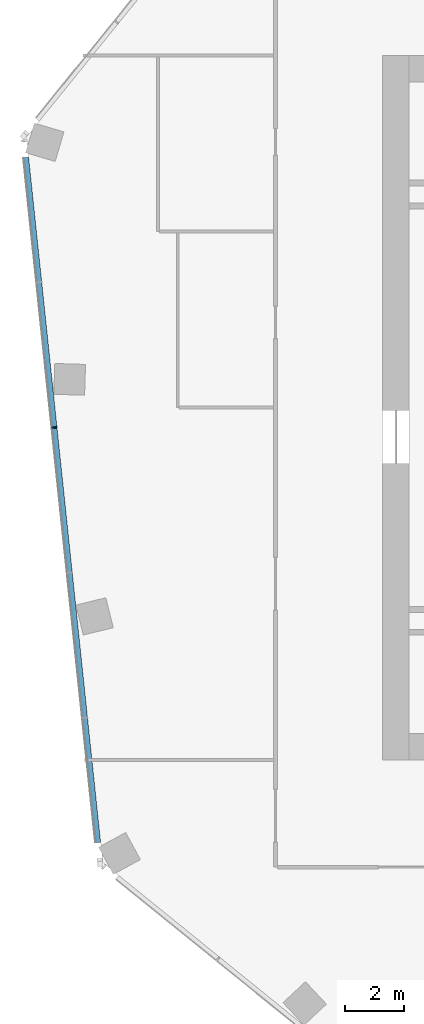
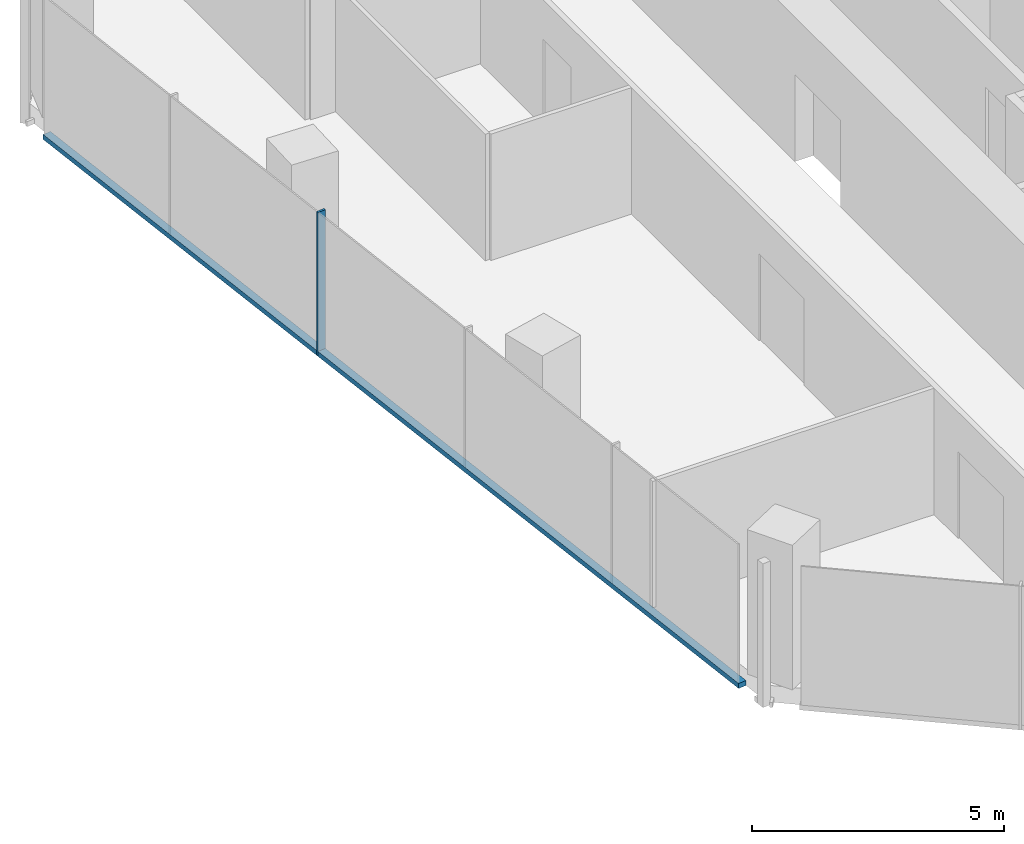
# One storey, part 8 of 26: 2 members, 1 element without a shape of its own.
"""IFC4 building model written with IfcOpenShell, lengths in metres."""

from ifc_helpers import new_model, si_unit, direction, frame, origin, origin_2d, place, context, subcontext, project, spatial, rectangle, extrude, material, material_profile, profile_set, type_object, element, aggregate, save


model = new_model("IFC4")

# Units and contexts
model_context = context("Model", 3, precision=1e-05, world=origin(), true_north=direction((0.0, 1.0)))
body_context = subcontext(model_context, "Body", "Model", "MODEL_VIEW")
ifc_project = project(units=[si_unit("LENGTHUNIT", "METRE"), si_unit("AREAUNIT", "SQUARE_METRE"), si_unit("VOLUMEUNIT", "CUBIC_METRE"), si_unit("PLANEANGLEUNIT", "RADIAN"), si_unit("MASSUNIT", "GRAM", prefix="KILO")], contexts=[model_context])

# Site, building, storey
site_placement = place(None, origin())
site = spatial("IfcSite", under=ifc_project, at=site_placement, CompositionType="ELEMENT")
building_placement = place(site_placement, origin())
building = spatial("IfcBuilding", under=site, at=building_placement, Name="Orlundy Tower", CompositionType="ELEMENT")
storey_placement = place(building_placement, frame((0.0, 0.0, 214.0)))
storey = spatial("IfcBuildingStorey", under=building, at=storey_placement, Name="L56", CompositionType="ELEMENT", Elevation=214.0)

# Curtain wall, members
ifc_material_1 = material(Name="Aluminium bronze anodised", Category="aluminium")
curtain_wall_type = type_object("IfcCurtainWallType", Name="CW1 wall", PredefinedType="NOTDEFINED", material=ifc_material_1)
curtain_wall_placement = place(storey_placement, origin())
curtain_wall = element("IfcCurtainWall", 1, at=curtain_wall_placement, inside=storey, type_object=curtain_wall_type, Name="CW1 run 02", PredefinedType="NOTDEFINED")
ifc_material_2 = material(Name="Aluminium bronze anodised", Category="aluminium")
ifc_material_profile_1 = material_profile(ifc_material_2, rectangle(XDim=0.179931640625, YDim=0.050048828125, at=origin_2d()), Name="CW1 mullion 50x180")
ifc_profile_set_1 = profile_set([ifc_material_profile_1], Name="Aluminium bronze anodised")
member_type_1 = type_object("IfcMemberType", Name="CW1 mullion 50x180", PredefinedType="MULLION", material=ifc_profile_set_1)
member_1_placement = place(storey_placement, frame((-30.185302734375, -0.673828125, -0.39990234375), z_axis=(0.0, 0.0, 1.0), x_axis=(-0.994520875843, -0.104538162943, 0.0)))
member_1 = element("IfcMember", 2, at=member_1_placement, type_object=member_type_1, Name="CW1 mullion 12", PredefinedType="MULLION", context=body_context, shape_type="SweptSolid", body=[
    extrude(rectangle(XDim=0.179931640625, YDim=0.050048828125, at=origin_2d()), origin(), (0.0, 0.0, 1.0), 3.47998046875),
])
ifc_material_3 = material(Name="Aluminium bronze anodised", Category="aluminium")
ifc_material_profile_2 = material_profile(ifc_material_3, rectangle(XDim=0.179931640625, YDim=0.1201171875, at=origin_2d()), Name="CW1 transom 180x120")
ifc_profile_set_2 = profile_set([ifc_material_profile_2], Name="Aluminium bronze anodised")
member_type_2 = type_object("IfcMemberType", Name="CW1 transom 180x120", PredefinedType="USERDEFINED", material=ifc_profile_set_2)
member_2_placement = place(storey_placement, frame((-28.698974609375, -14.81396484375, -0.340087890625), z_axis=(-0.10453855847, 0.994520834268, 0.0), x_axis=(-0.994520834268, -0.10453855847, 0.0)))
member_2 = element("IfcMember", 3, at=member_2_placement, type_object=member_type_2, Name="CW1 transom", ObjectType="TRANSOM", PredefinedType="USERDEFINED", context=body_context, shape_type="SweptSolid", body=[
    extrude(rectangle(XDim=0.179931640625, YDim=0.1201171875, at=origin_2d()), origin(), (0.0, 0.0, 1.0), 23.46630859375),
])
aggregate(curtain_wall, [member_1, member_2])

save(model, "model.ifc")
